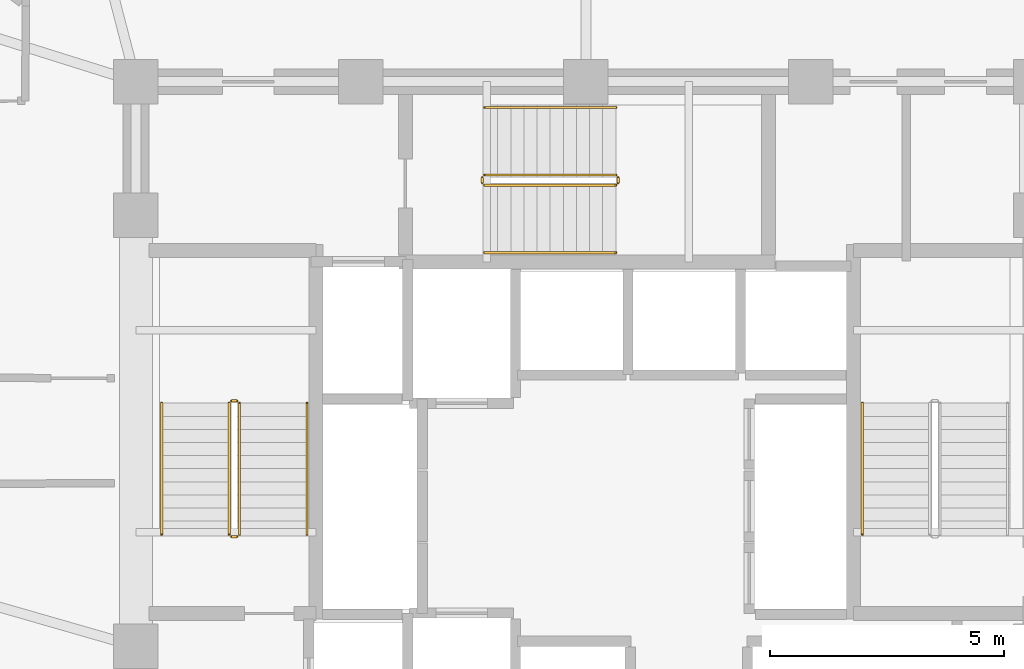
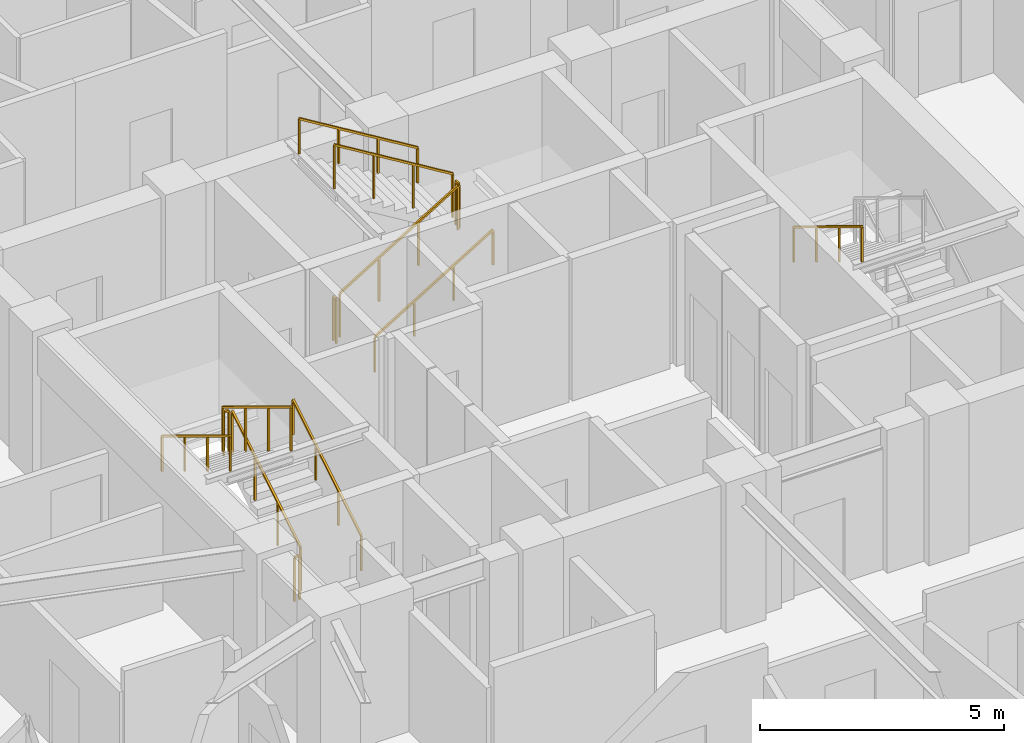
# One storey, part 30 of 32: 13 railings.
"""IFC4 building model written with IfcOpenShell, lengths in metres."""

from ifc_helpers import new_model, si_unit, direction, frame, origin, origin_2d, place, context, subcontext, project, spatial, rectangle, extrude, material, type_object, element, save


model = new_model("IFC4")

# Units and contexts
model_context = context("Model", 3, precision=1e-05, world=origin(), true_north=direction((0.0, 1.0)))
body_context = subcontext(model_context, "Body", "Model", "MODEL_VIEW")
ifc_project = project(units=[si_unit("LENGTHUNIT", "METRE"), si_unit("AREAUNIT", "SQUARE_METRE"), si_unit("VOLUMEUNIT", "CUBIC_METRE"), si_unit("PLANEANGLEUNIT", "RADIAN"), si_unit("MASSUNIT", "GRAM", prefix="KILO")], contexts=[model_context])

# Site, building, storey
site_placement = place(None, origin())
site = spatial("IfcSite", under=ifc_project, at=site_placement, CompositionType="ELEMENT")
building_placement = place(site_placement, origin())
building = spatial("IfcBuilding", under=site, at=building_placement, Name="Vantalir Tower", CompositionType="ELEMENT")
storey_placement = place(building_placement, frame((0.0, 0.0, 100.949951171875)))
storey = spatial("IfcBuildingStorey", under=building, at=storey_placement, Name="L24", CompositionType="ELEMENT", Elevation=100.949951171875)

# Railings
ifc_material_1 = material(Name="Anodised aluminium and stainless steel guard", Category="steel")
railing_type_1 = type_object("IfcRailingType", Name="RAL-GUARD-1120", PredefinedType="GUARDRAIL", material=ifc_material_1)
railing_1_placement = place(storey_placement, frame((24.110107421875, 22.7900390625, 0.17041015625)))
element("IfcRailing", 1, at=railing_1_placement, inside=storey, type_object=railing_type_1, Name="L24 ST1 stair guard 1", PredefinedType="GUARDRAIL", context=body_context, shape_type="SweptSolid", body=[
    extrude(rectangle(XDim=0.048095703125, YDim=0.048095703125, at=origin_2d()), frame((0.0, 0.0, 1.09619140625), z_axis=(0.0, 0.854169791009, 0.51999420009), x_axis=(-1.0, 0.0, 0.0)), (0.0, 0.0, 1.0), 3.278076171875),
    extrude(rectangle(XDim=0.0419921875, YDim=0.0419921875, at=origin_2d()), origin(), (0.0, 0.0, 1.0), 1.072021484375),
    extrude(rectangle(XDim=0.0419921875, YDim=0.0419921875, at=origin_2d()), frame((0.0, 0.933349609375, 0.568115234375)), (0.0, 0.0, 1.0), 1.072021484375),
    extrude(rectangle(XDim=0.0419921875, YDim=0.0419921875, at=origin_2d()), frame((0.0, 1.86669921875, 1.136474609375)), (0.0, 0.0, 1.0), 1.072021484375),
    extrude(rectangle(XDim=0.0419921875, YDim=0.0419921875, at=origin_2d()), frame((0.0, 2.800048828125, 1.70458984375)), (0.0, 0.0, 1.0), 1.072021484375),
])
railing_2_placement = place(storey_placement, frame((24.06005859375, 25.639892578125, 1.875)))
element("IfcRailing", 2, at=railing_2_placement, inside=storey, type_object=railing_type_1, Name="L24 ST1 stair guard 2", PredefinedType="GUARDRAIL", context=body_context, shape_type="SweptSolid", body=[
    extrude(rectangle(XDim=0.048095703125, YDim=0.048095703125, at=origin_2d()), frame((0.0, 0.0, 1.09619140625), z_axis=(-1.0, 0.0, 0.0), x_axis=(0.0, -1.0, 0.0)), (0.0, 0.0, 1.0), 0.1201171875),
    extrude(rectangle(XDim=0.0419921875, YDim=0.0419921875, at=origin_2d()), origin(), (0.0, 0.0, 1.0), 1.072021484375),
    extrude(rectangle(XDim=0.0419921875, YDim=0.0419921875, at=origin_2d()), frame((-0.1201171875, 0.0, 0.0)), (0.0, 0.0, 1.0), 1.072021484375),
])
railing_3_placement = place(storey_placement, frame((23.889892578125, 25.590087890625, 2.04541015625)))
element("IfcRailing", 3, at=railing_3_placement, inside=storey, type_object=railing_type_1, Name="L24 ST1 stair guard 3", PredefinedType="GUARDRAIL", context=body_context, shape_type="SweptSolid", body=[
    extrude(rectangle(XDim=0.048095703125, YDim=0.048095703125, at=origin_2d()), frame((0.0, 0.0, 1.09619140625), z_axis=(0.0, -0.854169791009, 0.51999420009), x_axis=(1.0, 0.0, 0.0)), (0.0, 0.0, 1.0), 3.278076171875),
    extrude(rectangle(XDim=0.0419921875, YDim=0.0419921875, at=origin_2d()), origin(), (0.0, 0.0, 1.0), 1.072021484375),
    extrude(rectangle(XDim=0.0419921875, YDim=0.0419921875, at=origin_2d()), frame((0.0, -0.933349609375, 0.568115234375)), (0.0, 0.0, 1.0), 1.072021484375),
    extrude(rectangle(XDim=0.0419921875, YDim=0.0419921875, at=origin_2d()), frame((0.0, -1.86669921875, 1.136474609375)), (0.0, 0.0, 1.0), 1.072021484375),
    extrude(rectangle(XDim=0.0419921875, YDim=0.0419921875, at=origin_2d()), frame((0.0, -2.800048828125, 1.70458984375)), (0.0, 0.0, 1.0), 1.072021484375),
])
railing_4_placement = place(storey_placement, frame((24.06005859375, 22.739990234375, 0.0)))
element("IfcRailing", 4, at=railing_4_placement, inside=storey, type_object=railing_type_1, Name="L24 ST1 stair guard 4", PredefinedType="GUARDRAIL", context=body_context, shape_type="SweptSolid", body=[
    extrude(rectangle(XDim=0.048095703125, YDim=0.048095703125, at=origin_2d()), frame((0.0, 0.0, 1.09619140625), z_axis=(-1.0, 0.0, 0.0), x_axis=(0.0, -1.0, 0.0)), (0.0, 0.0, 1.0), 0.1201171875),
    extrude(rectangle(XDim=0.0419921875, YDim=0.0419921875, at=origin_2d()), origin(), (0.0, 0.0, 1.0), 1.072021484375),
    extrude(rectangle(XDim=0.0419921875, YDim=0.0419921875, at=origin_2d()), frame((-0.1201171875, 0.0, 0.0)), (0.0, 0.0, 1.0), 1.072021484375),
])
railing_5_placement = place(storey_placement, frame((29.340087890625, 30.239990234375, 0.17041015625)))
element("IfcRailing", 5, at=railing_5_placement, inside=storey, type_object=railing_type_1, Name="L24 ST3 stair guard 1", PredefinedType="GUARDRAIL", context=body_context, shape_type="SweptSolid", body=[
    extrude(rectangle(XDim=0.048095703125, YDim=0.048095703125, at=origin_2d()), frame((0.0, 0.0, 1.09619140625), z_axis=(0.854149651119, 0.0, 0.520027281489), x_axis=(0.0, 1.0, 0.0)), (0.0, 0.0, 1.0), 3.27783203125),
    extrude(rectangle(XDim=0.0419921875, YDim=0.0419921875, at=origin_2d()), origin(), (0.0, 0.0, 1.0), 1.072021484375),
    extrude(rectangle(XDim=0.0419921875, YDim=0.0419921875, at=origin_2d()), frame((0.933349609375, 0.0, 0.568115234375)), (0.0, 0.0, 1.0), 1.072021484375),
    extrude(rectangle(XDim=0.0419921875, YDim=0.0419921875, at=origin_2d()), frame((1.866455078125, 0.0, 1.136474609375)), (0.0, 0.0, 1.0), 1.072021484375),
    extrude(rectangle(XDim=0.0419921875, YDim=0.0419921875, at=origin_2d()), frame((2.7998046875, 0.0, 1.70458984375)), (0.0, 0.0, 1.0), 1.072021484375),
])
railing_6_placement = place(storey_placement, frame((32.18994140625, 30.2900390625, 1.875)))
element("IfcRailing", 6, at=railing_6_placement, inside=storey, type_object=railing_type_1, Name="L24 ST3 stair guard 2", PredefinedType="GUARDRAIL", context=body_context, shape_type="SweptSolid", body=[
    extrude(rectangle(XDim=0.048095703125, YDim=0.048095703125, at=origin_2d()), frame((0.0, 0.0, 1.09619140625), z_axis=(0.0, 1.0, 0.0), x_axis=(-1.0, 0.0, 0.0)), (0.0, 0.0, 1.0), 0.119873046875),
    extrude(rectangle(XDim=0.0419921875, YDim=0.0419921875, at=origin_2d()), origin(), (0.0, 0.0, 1.0), 1.072021484375),
    extrude(rectangle(XDim=0.0419921875, YDim=0.0419921875, at=origin_2d()), frame((0.0, 0.119873046875, 0.0)), (0.0, 0.0, 1.0), 1.072021484375),
])
railing_7_placement = place(storey_placement, frame((32.139892578125, 30.4599609375, 2.04541015625)))
element("IfcRailing", 7, at=railing_7_placement, inside=storey, type_object=railing_type_1, Name="L24 ST3 stair guard 3", PredefinedType="GUARDRAIL", context=body_context, shape_type="SweptSolid", body=[
    extrude(rectangle(XDim=0.048095703125, YDim=0.048095703125, at=origin_2d()), frame((0.0, 0.0, 1.09619140625), z_axis=(-0.854149651119, 0.0, 0.520027281489), x_axis=(0.0, -1.0, 0.0)), (0.0, 0.0, 1.0), 3.27783203125),
    extrude(rectangle(XDim=0.0419921875, YDim=0.0419921875, at=origin_2d()), origin(), (0.0, 0.0, 1.0), 1.072021484375),
    extrude(rectangle(XDim=0.0419921875, YDim=0.0419921875, at=origin_2d()), frame((-0.933349609375, 0.0, 0.568115234375)), (0.0, 0.0, 1.0), 1.072021484375),
    extrude(rectangle(XDim=0.0419921875, YDim=0.0419921875, at=origin_2d()), frame((-1.866455078125, 0.0, 1.136474609375)), (0.0, 0.0, 1.0), 1.072021484375),
    extrude(rectangle(XDim=0.0419921875, YDim=0.0419921875, at=origin_2d()), frame((-2.7998046875, 0.0, 1.70458984375)), (0.0, 0.0, 1.0), 1.072021484375),
])
railing_8_placement = place(storey_placement, frame((29.2900390625, 30.2900390625, 0.0)))
element("IfcRailing", 8, at=railing_8_placement, inside=storey, type_object=railing_type_1, Name="L24 ST3 stair guard 4", PredefinedType="GUARDRAIL", context=body_context, shape_type="SweptSolid", body=[
    extrude(rectangle(XDim=0.048095703125, YDim=0.048095703125, at=origin_2d()), frame((0.0, 0.0, 1.09619140625), z_axis=(0.0, 1.0, 0.0), x_axis=(-1.0, 0.0, 0.0)), (0.0, 0.0, 1.0), 0.119873046875),
    extrude(rectangle(XDim=0.0419921875, YDim=0.0419921875, at=origin_2d()), origin(), (0.0, 0.0, 1.0), 1.072021484375),
    extrude(rectangle(XDim=0.0419921875, YDim=0.0419921875, at=origin_2d()), frame((0.0, 0.119873046875, 0.0)), (0.0, 0.0, 1.0), 1.072021484375),
])
ifc_material_2 = material(Name="Brushed stainless steel tubular handrail", Category="steel")
railing_type_2 = type_object("IfcRailingType", Name="RAL-HANDRAIL-900", PredefinedType="HANDRAIL", material=ifc_material_2)
railing_9_placement = place(storey_placement, frame((25.550048828125, 22.7900390625, 0.17041015625)))
element("IfcRailing", 9, at=railing_9_placement, inside=storey, type_object=railing_type_2, Name="L24 ST1 stair handrail 1", PredefinedType="HANDRAIL", context=body_context, shape_type="SweptSolid", body=[
    extrude(rectangle(XDim=0.048095703125, YDim=0.048095703125, at=origin_2d()), frame((0.0, 0.0, 0.8759765625), z_axis=(0.0, 0.854169791009, 0.51999420009), x_axis=(-1.0, 0.0, 0.0)), (0.0, 0.0, 1.0), 3.278076171875),
    extrude(rectangle(XDim=0.0419921875, YDim=0.0419921875, at=origin_2d()), origin(), (0.0, 0.0, 1.0), 0.851806640625),
    extrude(rectangle(XDim=0.0419921875, YDim=0.0419921875, at=origin_2d()), frame((0.0, 0.933349609375, 0.568115234375)), (0.0, 0.0, 1.0), 0.851806640625),
    extrude(rectangle(XDim=0.0419921875, YDim=0.0419921875, at=origin_2d()), frame((0.0, 1.86669921875, 1.136474609375)), (0.0, 0.0, 1.0), 0.851806640625),
    extrude(rectangle(XDim=0.0419921875, YDim=0.0419921875, at=origin_2d()), frame((0.0, 2.800048828125, 1.70458984375)), (0.0, 0.0, 1.0), 0.851806640625),
])
for number, where, name in (
    (10, (22.449951171875, 25.590087890625, 2.04541015625), "L24 ST1 stair handrail 2"),
    (11, (37.39990234375, 25.590087890625, 2.04541015625), "L24 ST2 stair handrail 2"),
):
    element("IfcRailing", number, at=place(storey_placement, frame(where)), inside=storey, type_object=railing_type_2, Name=name, PredefinedType="HANDRAIL", context=body_context, shape_type="SweptSolid", body=[
        extrude(rectangle(XDim=0.048095703125, YDim=0.048095703125, at=origin_2d()), frame((0.0, 0.0, 0.8759765625), z_axis=(0.0, -0.854169791009, 0.51999420009), x_axis=(1.0, 0.0, 0.0)), (0.0, 0.0, 1.0), 3.278076171875),
        extrude(rectangle(XDim=0.0419921875, YDim=0.0419921875, at=origin_2d()), origin(), (0.0, 0.0, 1.0), 0.851806640625),
        extrude(rectangle(XDim=0.0419921875, YDim=0.0419921875, at=origin_2d()), frame((0.0, -0.933349609375, 0.568115234375)), (0.0, 0.0, 1.0), 0.851806640625),
        extrude(rectangle(XDim=0.0419921875, YDim=0.0419921875, at=origin_2d()), frame((0.0, -1.86669921875, 1.136474609375)), (0.0, 0.0, 1.0), 0.851806640625),
        extrude(rectangle(XDim=0.0419921875, YDim=0.0419921875, at=origin_2d()), frame((0.0, -2.800048828125, 1.70458984375)), (0.0, 0.0, 1.0), 0.851806640625),
    ])
railing_10_placement = place(storey_placement, frame((29.340087890625, 28.800048828125, 0.17041015625)))
element("IfcRailing", 12, at=railing_10_placement, inside=storey, type_object=railing_type_2, Name="L24 ST3 stair handrail 1", PredefinedType="HANDRAIL", context=body_context, shape_type="SweptSolid", body=[
    extrude(rectangle(XDim=0.048095703125, YDim=0.048095703125, at=origin_2d()), frame((0.0, 0.0, 0.8759765625), z_axis=(0.854149651119, 0.0, 0.520027281489), x_axis=(0.0, 1.0, 0.0)), (0.0, 0.0, 1.0), 3.27783203125),
    extrude(rectangle(XDim=0.0419921875, YDim=0.0419921875, at=origin_2d()), origin(), (0.0, 0.0, 1.0), 0.851806640625),
    extrude(rectangle(XDim=0.0419921875, YDim=0.0419921875, at=origin_2d()), frame((0.933349609375, 0.0, 0.568115234375)), (0.0, 0.0, 1.0), 0.851806640625),
    extrude(rectangle(XDim=0.0419921875, YDim=0.0419921875, at=origin_2d()), frame((1.866455078125, 0.0, 1.136474609375)), (0.0, 0.0, 1.0), 0.851806640625),
    extrude(rectangle(XDim=0.0419921875, YDim=0.0419921875, at=origin_2d()), frame((2.7998046875, 0.0, 1.70458984375)), (0.0, 0.0, 1.0), 0.851806640625),
])
railing_11_placement = place(storey_placement, frame((32.139892578125, 31.89990234375, 2.04541015625)))
element("IfcRailing", 13, at=railing_11_placement, inside=storey, type_object=railing_type_2, Name="L24 ST3 stair handrail 2", PredefinedType="HANDRAIL", context=body_context, shape_type="SweptSolid", body=[
    extrude(rectangle(XDim=0.048095703125, YDim=0.048095703125, at=origin_2d()), frame((0.0, 0.0, 0.8759765625), z_axis=(-0.854149651119, 0.0, 0.520027281489), x_axis=(0.0, -1.0, 0.0)), (0.0, 0.0, 1.0), 3.27783203125),
    extrude(rectangle(XDim=0.0419921875, YDim=0.0419921875, at=origin_2d()), origin(), (0.0, 0.0, 1.0), 0.851806640625),
    extrude(rectangle(XDim=0.0419921875, YDim=0.0419921875, at=origin_2d()), frame((-0.933349609375, 0.0, 0.568115234375)), (0.0, 0.0, 1.0), 0.851806640625),
    extrude(rectangle(XDim=0.0419921875, YDim=0.0419921875, at=origin_2d()), frame((-1.866455078125, 0.0, 1.136474609375)), (0.0, 0.0, 1.0), 0.851806640625),
    extrude(rectangle(XDim=0.0419921875, YDim=0.0419921875, at=origin_2d()), frame((-2.7998046875, 0.0, 1.70458984375)), (0.0, 0.0, 1.0), 0.851806640625),
])

save(model, "model.ifc")
